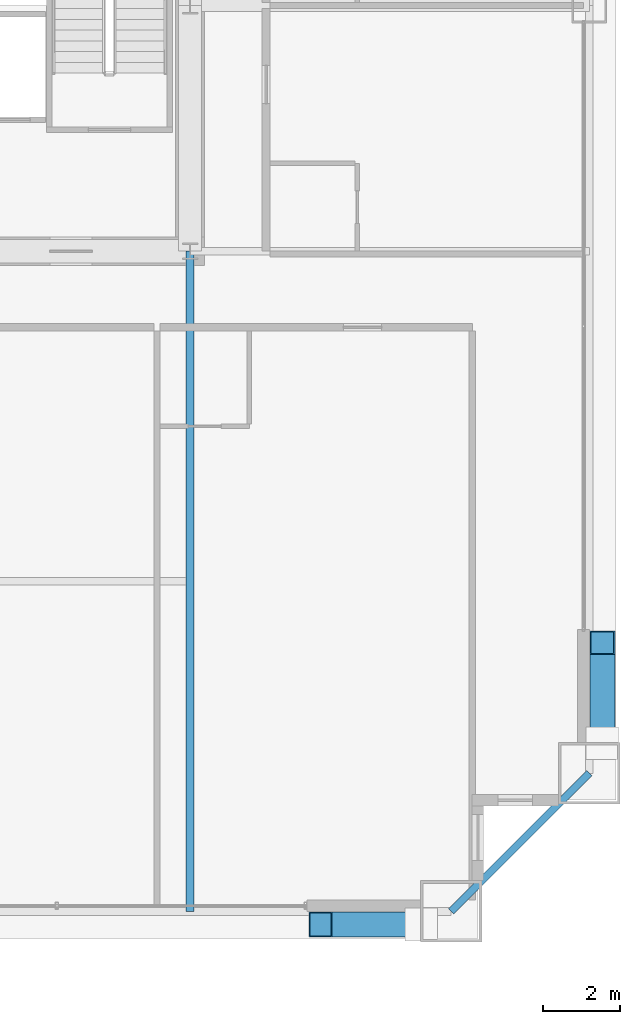
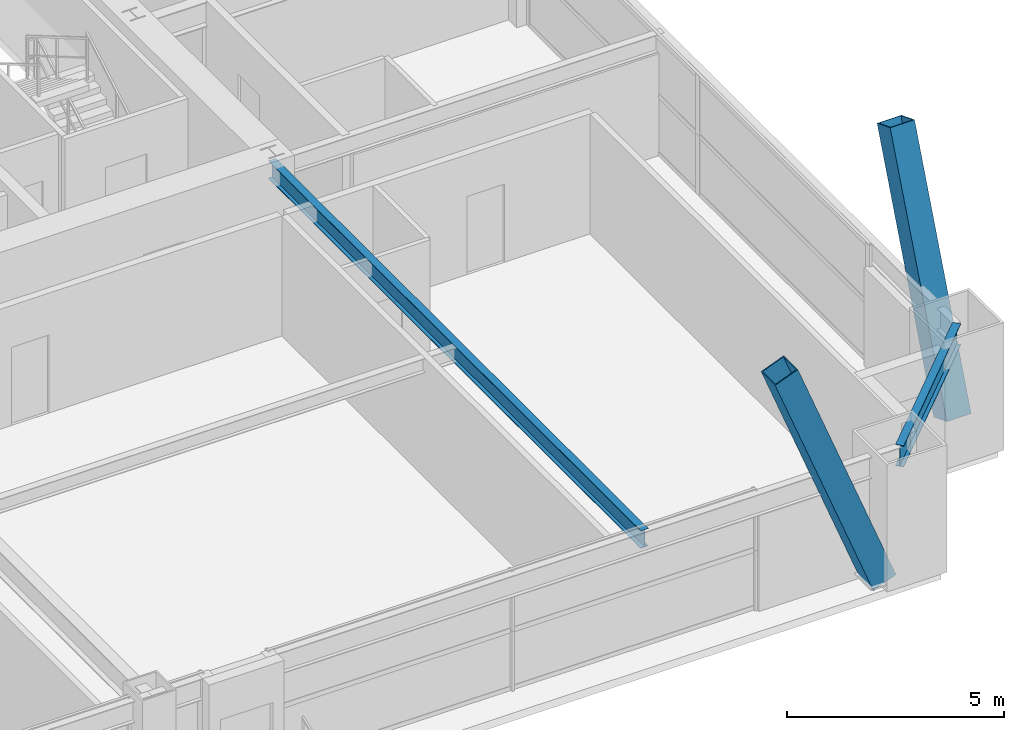
# One storey, part 15 of 41: 2 beams, 2 members.
"""IFC4 building model written with IfcOpenShell, lengths in metres."""

from ifc_helpers import new_model, si_unit, direction, frame, origin, origin_2d, place, context, subcontext, project, spatial, hollow_rectangle, i_section, extrude, source, transform, mapped, material, material_profile, profile_set, type_object, element, save


model = new_model("IFC4")

# Units and contexts
model_context = context("Model", 3, precision=1e-05, world=origin(), true_north=direction((0.0, 1.0)))
body_context = subcontext(model_context, "Body", "Model", "MODEL_VIEW")
ifc_project = project(units=[si_unit("LENGTHUNIT", "METRE"), si_unit("AREAUNIT", "SQUARE_METRE"), si_unit("VOLUMEUNIT", "CUBIC_METRE"), si_unit("PLANEANGLEUNIT", "RADIAN"), si_unit("MASSUNIT", "GRAM", prefix="KILO"), si_unit("THERMODYNAMICTEMPERATUREUNIT", "KELVIN"), si_unit("POWERUNIT", "WATT")], contexts=[model_context])

# Site, building, storey
site_placement = place(None, origin())
site = spatial("IfcSite", under=ifc_project, at=site_placement, CompositionType="ELEMENT")
building_placement = place(site_placement, origin())
building = spatial("IfcBuilding", under=site, at=building_placement, Name="Yuzanri Waterfront Tower", CompositionType="ELEMENT")
storey_placement = place(building_placement, frame((0.0, 0.0, 115.39990234375)))
storey = spatial("IfcBuildingStorey", under=building, at=storey_placement, Name="L30", CompositionType="ELEMENT", Elevation=115.39990234375)

# Beams
ifc_material_1 = material(Name="Steel Q355B", Category="steel")
ifc_material_profile_1 = material_profile(ifc_material_1, i_section(OverallWidth=0.199951171875, OverallDepth=0.60009765625, WebThickness=0.010986328125, FlangeThickness=0.01708984375, at=origin_2d()), Name="HN 600x200x11x17")
ifc_profile_set_1 = profile_set([ifc_material_profile_1], Name="Steel Q355B")
beam_type_1 = type_object("IfcBeamType", Name="Perimeter Spandrel Q355B HN 600x200", PredefinedType="SPANDREL", material=ifc_profile_set_1)
shared_shape_1 = source(origin(), body_context, "Body", "SweptSolid", [
    extrude(i_section(OverallWidth=0.199951171875, OverallDepth=0.60009765625, WebThickness=0.010986328125, FlangeThickness=0.01708984375, at=origin_2d()), origin(), (0.0, 0.0, 1.0), 5.09130859375),
])
beam_1_placement = place(storey_placement, frame((57.0, 2.199951171875, 3.080078125), z_axis=(0.707106781187, 0.707106781187, 0.0), x_axis=(-0.707106781187, 0.707106781187, 0.0)))
element("IfcBeam", 1, at=beam_1_placement, inside=storey, type_object=beam_type_1, Name="L30 Perimeter Spandrel S3-E1", PredefinedType="SPANDREL", context=body_context, shape_type="MappedRepresentation", body=[
    mapped(shared_shape_1, transform((0.0, 0.0, 0.0), scale=1.0)),
])
ifc_material_2 = material(Name="Steel Q355B", Category="steel")
ifc_material_profile_2 = material_profile(ifc_material_2, i_section(OverallWidth=0.199951171875, OverallDepth=0.5, WebThickness=0.010009765625, FlangeThickness=0.01611328125, at=origin_2d()), Name="HN 500x200x10x16")
ifc_profile_set_2 = profile_set([ifc_material_profile_2], Name="Steel Q355B")
beam_type_2 = type_object("IfcBeamType", Name="Secondary Floor Beam Q355B HN 500x200", PredefinedType="BEAM", material=ifc_profile_set_2)
shared_shape_2 = source(origin(), body_context, "Body", "SweptSolid", [
    extrude(i_section(OverallWidth=0.199951171875, OverallDepth=0.5, WebThickness=0.010009765625, FlangeThickness=0.01611328125, at=origin_2d()), origin(), (0.0, 0.0, 1.0), 17.199951171875),
])
beam_2_placement = place(storey_placement, frame((50.199951171875, 19.39990234375, 3.130126953125), z_axis=(0.0, -1.0, 0.0), x_axis=(1.0, 0.0, 0.0)))
element("IfcBeam", 2, at=beam_2_placement, inside=storey, type_object=beam_type_2, Name="L30 South-East Core Line Beam", PredefinedType="BEAM", context=body_context, shape_type="MappedRepresentation", body=[
    mapped(shared_shape_2, transform((0.0, 0.0, 0.0), scale=1.0)),
])

# Members
ifc_material_3 = material(Name="Steel Q420GJC", Category="steel")
ifc_material_profile_3 = material_profile(ifc_material_3, hollow_rectangle(XDim=0.64990234375, YDim=0.64990234375, WallThickness=0.028076171875, at=origin_2d()), Name="RHS 650x650x28")
ifc_profile_set_3 = profile_set([ifc_material_profile_3], Name="Steel Q420GJC")
member_type = type_object("IfcMemberType", Name="Mega Brace Lower Q420GJC RHS 650x650x28", PredefinedType="BRACE", material=ifc_profile_set_3)
shared_shape_3 = source(origin(), body_context, "Body", "SweptSolid", [
    extrude(hollow_rectangle(XDim=0.64990234375, YDim=0.64990234375, WallThickness=0.028076171875, at=origin_2d()), origin(), (0.0, 0.0, 1.0), 7.19384765625),
])
for number, where, z_axis, x_axis, name in (
    (3, (56.219970703125, 1.860107421875, 0.18017578125), (-0.36417668996, 0.0, 0.9313298763), (0.0, -1.0, 0.0), "L30-L31 Perimeter Mega-Brace S-R"),
    (4, (60.93994140625, 6.580078125, 0.18017578125), (0.0, 0.36417668996, 0.9313298763), (-1.0, 0.0, 0.0), "L30-L31 Perimeter Mega-Brace E-L"),
):
    element("IfcMember", number, at=place(storey_placement, frame(where, z_axis=z_axis, x_axis=x_axis)), inside=storey, type_object=member_type, Name=name, PredefinedType="BRACE", context=body_context, shape_type="MappedRepresentation", body=[
        mapped(shared_shape_3, transform((0.0, 0.0, 0.0), scale=1.0)),
    ])

save(model, "model.ifc")
